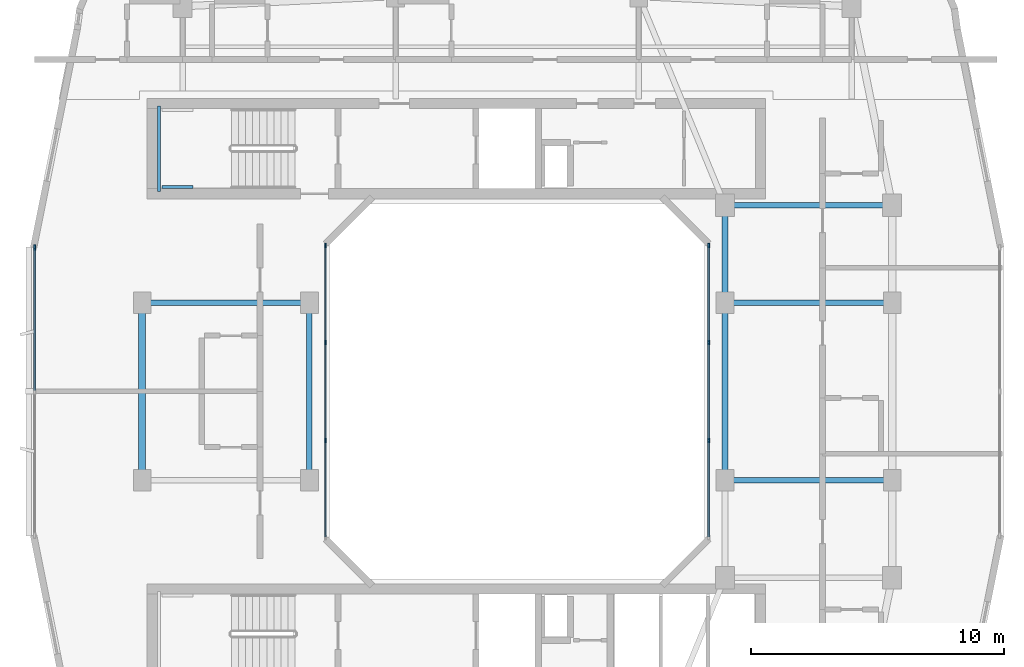
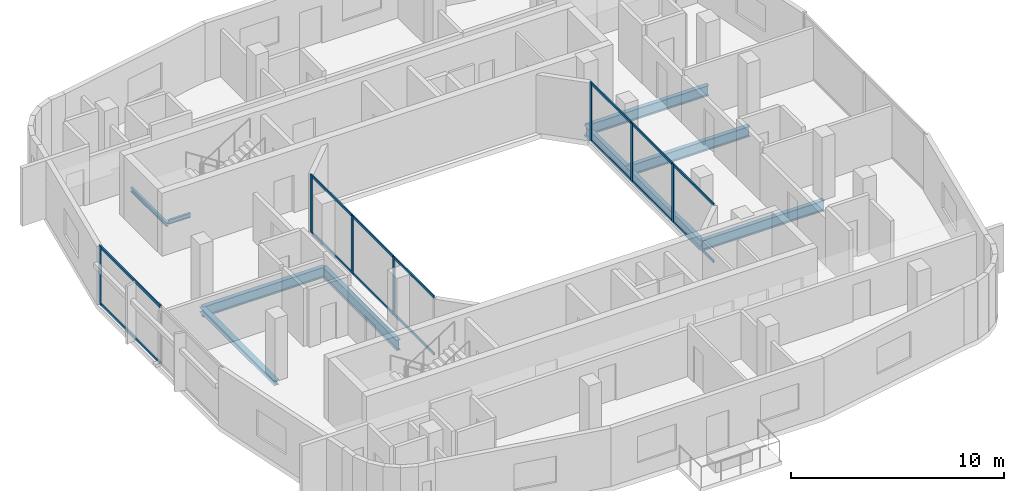
# One storey, part 3 of 13: 21 members, 10 beams, 3 elements without a shape of their own.
"""IFC4 building model written with IfcOpenShell, lengths in metres."""

from ifc_helpers import new_model, si_unit, derived_unit, direction, frame, origin, origin_2d, place, context, subcontext, project, spatial, rectangle, i_section, extrude, material, layer, layer_set, material_profile, profile_set, type_object, element, aggregate, save


model = new_model("IFC4")

# Units and contexts
model_context = context("Model", 3, precision=1e-05, world=origin(), true_north=direction((0.0, 1.0)))
body_context = subcontext(model_context, "Body", "Model", "MODEL_VIEW")
ifc_project = project(units=[si_unit("LENGTHUNIT", "METRE"), si_unit("AREAUNIT", "SQUARE_METRE"), si_unit("VOLUMEUNIT", "CUBIC_METRE"), si_unit("PLANEANGLEUNIT", "RADIAN"), si_unit("MASSUNIT", "GRAM", prefix="KILO"), derived_unit("THERMALTRANSMITTANCEUNIT", [(si_unit("POWERUNIT", "WATT"), 1), (si_unit("LENGTHUNIT", "METRE"), -2), (si_unit("THERMODYNAMICTEMPERATUREUNIT", "KELVIN"), -1)])], contexts=[model_context])

# Site, building, storey
site_placement = place(None, origin())
site = spatial("IfcSite", under=ifc_project, at=site_placement, CompositionType="ELEMENT")
building_placement = place(site_placement, origin())
building = spatial("IfcBuilding", under=site, at=building_placement, Name="Kivonza Crest Hotel", CompositionType="ELEMENT")
storey_placement = place(building_placement, frame((0.0, 0.0, 220.699951171875)))
storey = spatial("IfcBuildingStorey", under=building, at=storey_placement, Name="L60", CompositionType="ELEMENT", Elevation=220.699951171875)

# Beams
ifc_material_1 = material(Name="Steel S355", Category="steel")
ifc_material_profile_1 = material_profile(ifc_material_1, i_section(OverallWidth=0.280029296875, OverallDepth=0.280029296875, WebThickness=0.010498046875, FlangeThickness=0.01806640625, FilletRadius=0.02392578125, at=origin_2d()), Name="HEB 280")
ifc_profile_set_1 = profile_set([ifc_material_profile_1], Name="Steel S355")
beam_type_1 = type_object("IfcBeamType", Name="BM-HEB280", PredefinedType="SPANDREL", material=ifc_profile_set_1)
beam_1_placement = place(storey_placement, frame((6.199951171875, 28.5, -0.419921875), z_axis=(0.0, -1.0, 0.0), x_axis=(1.0, 0.0, 0.0)))
element("IfcBeam", 1, at=beam_1_placement, inside=storey, type_object=beam_type_1, Name="Tower T1 L60 perimeter spandrel W2-W1", PredefinedType="SPANDREL", context=body_context, shape_type="SweptSolid", body=[
    extrude(i_section(OverallWidth=0.280029296875, OverallDepth=0.280029296875, WebThickness=0.010498046875, FlangeThickness=0.01806640625, FilletRadius=0.02392578125, at=origin_2d()), origin(), (0.0, 0.0, 1.0), 7.0),
])
ifc_material_profile_2 = material_profile(ifc_material_1, i_section(OverallWidth=0.219970703125, OverallDepth=0.60009765625, WebThickness=0.011962890625, FlangeThickness=0.01904296875, FilletRadius=0.02392578125, at=origin_2d()), Name="IPE 600")
ifc_profile_set_2 = profile_set([ifc_material_profile_2], Name="Steel S355")
beam_type_2 = type_object("IfcBeamType", Name="BM-IPE600", PredefinedType="BEAM", material=ifc_profile_set_2)
beam_2_placement = place(storey_placement, frame((6.199951171875, 28.5, -0.579833984375), z_axis=(1.0, 0.0, 0.0), x_axis=(0.0, 1.0, 0.0)))
element("IfcBeam", 2, at=beam_2_placement, inside=storey, type_object=beam_type_2, Name="Tower T1 L60 primary girder W2-WL2", PredefinedType="BEAM", context=body_context, shape_type="SweptSolid", body=[
    extrude(i_section(OverallWidth=0.219970703125, OverallDepth=0.60009765625, WebThickness=0.011962890625, FlangeThickness=0.01904296875, FilletRadius=0.02392578125, at=origin_2d()), origin(), (0.0, 0.0, 1.0), 6.60009765625),
])
beam_3_placement = place(storey_placement, frame((12.800048828125, 21.5, -0.579833984375), z_axis=(0.0, 1.0, 0.0), x_axis=(-1.0, 0.0, 0.0)))
element("IfcBeam", 3, at=beam_3_placement, inside=storey, type_object=beam_type_2, Name="Tower T1 L60 primary girder WL1-WL2", PredefinedType="BEAM", context=body_context, shape_type="SweptSolid", body=[
    extrude(i_section(OverallWidth=0.219970703125, OverallDepth=0.60009765625, WebThickness=0.011962890625, FlangeThickness=0.01904296875, FilletRadius=0.02392578125, at=origin_2d()), origin(), (0.0, 0.0, 1.0), 7.0),
])
beam_4_placement = place(storey_placement, frame((29.199951171875, 32.35009765625, -0.579833984375), z_axis=(1.0, 0.0, 0.0), x_axis=(0.0, 1.0, 0.0)))
element("IfcBeam", 4, at=beam_4_placement, inside=storey, type_object=beam_type_2, Name="Tower T1 L60 primary girder TNE-PNE", PredefinedType="BEAM", context=body_context, shape_type="SweptSolid", body=[
    extrude(i_section(OverallWidth=0.219970703125, OverallDepth=0.60009765625, WebThickness=0.011962890625, FlangeThickness=0.01904296875, FilletRadius=0.02392578125, at=origin_2d()), origin(), (0.0, 0.0, 1.0), 6.60009765625),
])
beam_5_placement = place(storey_placement, frame((29.199951171875, 21.5, -0.579833984375), z_axis=(0.0, 1.0, 0.0), x_axis=(-1.0, 0.0, 0.0)))
element("IfcBeam", 5, at=beam_5_placement, inside=storey, type_object=beam_type_2, Name="Tower T1 L60 primary girder WR1-WR2", PredefinedType="BEAM", context=body_context, shape_type="SweptSolid", body=[
    extrude(i_section(OverallWidth=0.219970703125, OverallDepth=0.60009765625, WebThickness=0.011962890625, FlangeThickness=0.01904296875, FilletRadius=0.02392578125, at=origin_2d()), origin(), (0.0, 0.0, 1.0), 7.0),
])
beam_6_placement = place(storey_placement, frame((29.199951171875, 28.5, -0.579833984375), z_axis=(0.0, 1.0, 0.0), x_axis=(-1.0, 0.0, 0.0)))
element("IfcBeam", 6, at=beam_6_placement, inside=storey, type_object=beam_type_2, Name="Tower T1 L60 primary girder WR2-TNE", PredefinedType="BEAM", context=body_context, shape_type="SweptSolid", body=[
    extrude(i_section(OverallWidth=0.219970703125, OverallDepth=0.60009765625, WebThickness=0.011962890625, FlangeThickness=0.01904296875, FilletRadius=0.02392578125, at=origin_2d()), origin(), (0.0, 0.0, 1.0), 3.85009765625),
])
for number, where, z_axis, x_axis, name in (
    (7, (29.199951171875, 21.5, -0.579833984375), (1.0, 0.0, 0.0), (0.0, 1.0, 0.0), "Tower T1 L60 primary girder WR1-E1"),
    (8, (29.199951171875, 28.5, -0.579833984375), (1.0, 0.0, 0.0), (0.0, 1.0, 0.0), "Tower T1 L60 primary girder WR2-E2"),
):
    element("IfcBeam", number, at=place(storey_placement, frame(where, z_axis=z_axis, x_axis=x_axis)), inside=storey, type_object=beam_type_2, Name=name, PredefinedType="BEAM", context=body_context, shape_type="SweptSolid", body=[
        extrude(i_section(OverallWidth=0.219970703125, OverallDepth=0.60009765625, WebThickness=0.011962890625, FlangeThickness=0.01904296875, FilletRadius=0.02392578125, at=origin_2d()), origin(), (0.0, 0.0, 1.0), 6.60009765625),
    ])
ifc_material_profile_3 = material_profile(ifc_material_1, i_section(OverallWidth=0.1201171875, OverallDepth=0.239990234375, WebThickness=0.006103515625, FlangeThickness=0.009765625, FilletRadius=0.014892578125, at=origin_2d()), Name="IPE 240")
ifc_profile_set_3 = profile_set([ifc_material_profile_3], Name="Steel S355")
beam_type_3 = type_object("IfcBeamType", Name="BM-LLDG-240", PredefinedType="BEAM", material=ifc_profile_set_3)
beam_7_placement = place(storey_placement, frame((6.860107421875, 32.89990234375, 1.47998046875), z_axis=(0.0, 1.0, 0.0), x_axis=(-1.0, 0.0, 0.0)))
element("IfcBeam", 9, at=beam_7_placement, inside=storey, type_object=beam_type_3, Name="Stair ST-T1-N L60 West landing corbel", PredefinedType="BEAM", context=body_context, shape_type="SweptSolid", body=[
    extrude(i_section(OverallWidth=0.1201171875, OverallDepth=0.239990234375, WebThickness=0.006103515625, FlangeThickness=0.009765625, FilletRadius=0.014892578125, at=origin_2d()), origin(), (0.0, 0.0, 1.0), 3.360107421875),
])
beam_8_placement = place(storey_placement, frame((6.989990234375, 33.06005859375, 1.47998046875), z_axis=(1.0, 0.0, 0.0), x_axis=(0.0, 1.0, 0.0)))
element("IfcBeam", 10, at=beam_8_placement, inside=storey, type_object=beam_type_3, Name="Stair ST-T1-N L60 South landing corbel", PredefinedType="BEAM", context=body_context, shape_type="SweptSolid", body=[
    extrude(i_section(OverallWidth=0.1201171875, OverallDepth=0.239990234375, WebThickness=0.006103515625, FlangeThickness=0.009765625, FilletRadius=0.014892578125, at=origin_2d()), origin(), (0.0, 0.0, 1.0), 1.2099609375),
])

# Curtain wall, members
ifc_material_2 = material(Name="Anodised bronze aluminium and low-E double glazing", Category="aluminium")
ifc_layer_1 = layer(ifc_material_2, 0.159912109375)
ifc_layer_set_1 = layer_set([ifc_layer_1], Name="Anodised bronze aluminium and low-E double glazing")
curtain_wall_type_1 = type_object("IfcCurtainWallType", Name="CW-SYS-5", PredefinedType="NOTDEFINED", material=ifc_layer_set_1)
curtain_wall_1_placement = place(storey_placement, origin())
curtain_wall_1 = element("IfcCurtainWall", 11, at=curtain_wall_1_placement, inside=storey, type_object=curtain_wall_type_1, Name="L60 unitised curtain wall CW-WELL-T1-L60-3", PredefinedType="NOTDEFINED")
ifc_material_3 = material(Name="Anodised bronze aluminium", Category="aluminium")
ifc_material_profile_4 = material_profile(ifc_material_3, rectangle(XDim=0.06494140625, YDim=0.179931640625, at=origin_2d()), Name="CW-M 65x180")
ifc_profile_set_4 = profile_set([ifc_material_profile_4], Name="Anodised bronze aluminium")
member_type_1 = type_object("IfcMemberType", Name="CW-MUL-65x180", PredefinedType="MULLION", material=ifc_profile_set_4)
member_1_placement = place(storey_placement, frame((28.56005859375, 23.066650390625, 0.0), z_axis=(0.0, 0.0, 1.0), x_axis=(-1.0, 0.0, 0.0)))
member_1 = element("IfcMember", 12, at=member_1_placement, type_object=member_type_1, Name="CW-5 mullion 2", PredefinedType="MULLION", context=body_context, shape_type="SweptSolid", body=[
    extrude(rectangle(XDim=0.06494140625, YDim=0.179931640625, at=origin_2d()), origin(), (0.0, 0.0, 1.0), 3.320068359375),
])
member_2_placement = place(storey_placement, frame((28.56005859375, 26.933349609375, 0.0), z_axis=(0.0, 0.0, 1.0), x_axis=(-1.0, 0.0, 0.0)))
member_2 = element("IfcMember", 13, at=member_2_placement, type_object=member_type_1, Name="CW-5 mullion 3", PredefinedType="MULLION", context=body_context, shape_type="SweptSolid", body=[
    extrude(rectangle(XDim=0.06494140625, YDim=0.179931640625, at=origin_2d()), origin(), (0.0, 0.0, 1.0), 3.320068359375),
])
member_3_placement = place(storey_placement, frame((28.56005859375, 30.767578125, 0.0), z_axis=(0.0, 0.0, 1.0), x_axis=(-1.0, 0.0, 0.0)))
member_3 = element("IfcMember", 14, at=member_3_placement, type_object=member_type_1, Name="CW-5 mullion 4", PredefinedType="MULLION", context=body_context, shape_type="SweptSolid", body=[
    extrude(rectangle(XDim=0.06494140625, YDim=0.179931640625, at=origin_2d()), origin(), (0.0, 0.0, 1.0), 3.320068359375),
])

curtain_wall_2_placement = place(storey_placement, origin())
curtain_wall_2 = element("IfcCurtainWall", 15, at=curtain_wall_2_placement, inside=storey, type_object=curtain_wall_type_1, Name="L60 unitised curtain wall CW-WELL-T1-L60-7", PredefinedType="NOTDEFINED")
member_4_placement = place(storey_placement, frame((13.43994140625, 30.767578125, 0.0), z_axis=(0.0, 0.0, 1.0), x_axis=(1.0, 0.0, 0.0)))
member_4 = element("IfcMember", 16, at=member_4_placement, type_object=member_type_1, Name="CW-5 mullion 1", PredefinedType="MULLION", context=body_context, shape_type="SweptSolid", body=[
    extrude(rectangle(XDim=0.06494140625, YDim=0.179931640625, at=origin_2d()), origin(), (0.0, 0.0, 1.0), 3.320068359375),
])
member_5_placement = place(storey_placement, frame((13.43994140625, 26.933349609375, 0.0), z_axis=(0.0, 0.0, 1.0), x_axis=(1.0, 0.0, 0.0)))
member_5 = element("IfcMember", 17, at=member_5_placement, type_object=member_type_1, Name="CW-5 mullion 2", PredefinedType="MULLION", context=body_context, shape_type="SweptSolid", body=[
    extrude(rectangle(XDim=0.06494140625, YDim=0.179931640625, at=origin_2d()), origin(), (0.0, 0.0, 1.0), 3.320068359375),
])
member_6_placement = place(storey_placement, frame((13.43994140625, 23.066650390625, 0.0), z_axis=(0.0, 0.0, 1.0), x_axis=(1.0, 0.0, 0.0)))
member_6 = element("IfcMember", 18, at=member_6_placement, type_object=member_type_1, Name="CW-5 mullion 3", PredefinedType="MULLION", context=body_context, shape_type="SweptSolid", body=[
    extrude(rectangle(XDim=0.06494140625, YDim=0.179931640625, at=origin_2d()), origin(), (0.0, 0.0, 1.0), 3.320068359375),
])

# Curtain wall, member
ifc_layer_2 = layer(ifc_material_2, 0.179931640625)
ifc_layer_set_2 = layer_set([ifc_layer_2], Name="Anodised bronze aluminium and low-E double glazing")
curtain_wall_type_2 = type_object("IfcCurtainWallType", Name="CW-SYS-3", PredefinedType="NOTDEFINED", material=ifc_layer_set_2)
curtain_wall_3_placement = place(storey_placement, origin())
curtain_wall_3 = element("IfcCurtainWall", 19, at=curtain_wall_3_placement, inside=storey, type_object=curtain_wall_type_2, Name="L60 unitised curtain wall CW-T1-L60-35", PredefinedType="NOTDEFINED")
ifc_material_profile_5 = material_profile(ifc_material_3, rectangle(XDim=0.074951171875, YDim=0.219970703125, at=origin_2d()), Name="CW-M 75x220")
ifc_profile_set_5 = profile_set([ifc_material_profile_5], Name="Anodised bronze aluminium")
member_type_2 = type_object("IfcMemberType", Name="CW-MUL-75x220", PredefinedType="MULLION", material=ifc_profile_set_5)
member_7_placement = place(storey_placement, frame((1.9599609375, 30.6826171875, 0.0), z_axis=(0.0, 0.0, 1.0), x_axis=(1.0, 0.0, 0.0)))
member_7 = element("IfcMember", 20, at=member_7_placement, type_object=member_type_2, Name="CW-3 mullion 1", PredefinedType="MULLION", context=body_context, shape_type="SweptSolid", body=[
    extrude(rectangle(XDim=0.074951171875, YDim=0.219970703125, at=origin_2d()), origin(), (0.0, 0.0, 1.0), 3.320068359375),
])

# Member
ifc_material_profile_6 = material_profile(ifc_material_3, rectangle(XDim=0.06494140625, YDim=0.139892578125, at=origin_2d()), Name="CW-T 65x140")
ifc_profile_set_6 = profile_set([ifc_material_profile_6], Name="Anodised bronze aluminium")
member_type_3 = type_object("IfcMemberType", Name="CW-TRN-65x140", PredefinedType="USERDEFINED", material=ifc_profile_set_6)
member_8_placement = place(storey_placement, frame((28.56005859375, 19.264892578125, 0.032470703125), z_axis=(0.0, 1.0, 0.0), x_axis=(-1.0, 0.0, 0.0)))
member_8 = element("IfcMember", 21, at=member_8_placement, type_object=member_type_3, Name="CW-5 transom 1.1", ObjectType="TRANSOM", PredefinedType="USERDEFINED", context=body_context, shape_type="SweptSolid", body=[
    extrude(rectangle(XDim=0.06494140625, YDim=0.139892578125, at=origin_2d()), origin(), (0.0, 0.0, 1.0), 3.769287109375),
])

member_9_placement = place(storey_placement, frame((28.56005859375, 19.264892578125, 3.28759765625), z_axis=(0.0, 1.0, 0.0), x_axis=(-1.0, 0.0, 0.0)))
member_9 = element("IfcMember", 22, at=member_9_placement, type_object=member_type_3, Name="CW-5 transom 1.2", ObjectType="TRANSOM", PredefinedType="USERDEFINED", context=body_context, shape_type="SweptSolid", body=[
    extrude(rectangle(XDim=0.06494140625, YDim=0.139892578125, at=origin_2d()), origin(), (0.0, 0.0, 1.0), 3.769287109375),
])

member_10_placement = place(storey_placement, frame((28.56005859375, 23.09912109375, 0.032470703125), z_axis=(0.0, 1.0, 0.0), x_axis=(-1.0, 0.0, 0.0)))
member_10 = element("IfcMember", 23, at=member_10_placement, type_object=member_type_3, Name="CW-5 transom 2.1", ObjectType="TRANSOM", PredefinedType="USERDEFINED", context=body_context, shape_type="SweptSolid", body=[
    extrude(rectangle(XDim=0.06494140625, YDim=0.139892578125, at=origin_2d()), origin(), (0.0, 0.0, 1.0), 3.8017578125),
])

member_11_placement = place(storey_placement, frame((28.56005859375, 23.09912109375, 3.28759765625), z_axis=(0.0, 1.0, 0.0), x_axis=(-1.0, 0.0, 0.0)))
member_11 = element("IfcMember", 24, at=member_11_placement, type_object=member_type_3, Name="CW-5 transom 2.2", ObjectType="TRANSOM", PredefinedType="USERDEFINED", context=body_context, shape_type="SweptSolid", body=[
    extrude(rectangle(XDim=0.06494140625, YDim=0.139892578125, at=origin_2d()), origin(), (0.0, 0.0, 1.0), 3.8017578125),
])

member_12_placement = place(storey_placement, frame((28.56005859375, 26.9658203125, 0.032470703125), z_axis=(0.0, 1.0, 0.0), x_axis=(-1.0, 0.0, 0.0)))
member_12 = element("IfcMember", 25, at=member_12_placement, type_object=member_type_3, Name="CW-5 transom 3.1", ObjectType="TRANSOM", PredefinedType="USERDEFINED", context=body_context, shape_type="SweptSolid", body=[
    extrude(rectangle(XDim=0.06494140625, YDim=0.139892578125, at=origin_2d()), origin(), (0.0, 0.0, 1.0), 3.769287109375),
])

member_13_placement = place(storey_placement, frame((28.56005859375, 26.9658203125, 3.28759765625), z_axis=(0.0, 1.0, 0.0), x_axis=(-1.0, 0.0, 0.0)))
member_13 = element("IfcMember", 26, at=member_13_placement, type_object=member_type_3, Name="CW-5 transom 3.2", ObjectType="TRANSOM", PredefinedType="USERDEFINED", context=body_context, shape_type="SweptSolid", body=[
    extrude(rectangle(XDim=0.06494140625, YDim=0.139892578125, at=origin_2d()), origin(), (0.0, 0.0, 1.0), 3.769287109375),
])

aggregate(curtain_wall_1, [member_1, member_2, member_3, member_8, member_9, member_10, member_11, member_12, member_13])

member_14_placement = place(storey_placement, frame((13.43994140625, 30.735107421875, 0.032470703125), z_axis=(0.0, -1.0, 0.0), x_axis=(1.0, 0.0, 0.0)))
member_14 = element("IfcMember", 27, at=member_14_placement, type_object=member_type_3, Name="CW-5 transom 1.1", ObjectType="TRANSOM", PredefinedType="USERDEFINED", context=body_context, shape_type="SweptSolid", body=[
    extrude(rectangle(XDim=0.06494140625, YDim=0.139892578125, at=origin_2d()), origin(), (0.0, 0.0, 1.0), 3.769287109375),
])

member_15_placement = place(storey_placement, frame((13.43994140625, 30.735107421875, 3.28759765625), z_axis=(0.0, -1.0, 0.0), x_axis=(1.0, 0.0, 0.0)))
member_15 = element("IfcMember", 28, at=member_15_placement, type_object=member_type_3, Name="CW-5 transom 1.2", ObjectType="TRANSOM", PredefinedType="USERDEFINED", context=body_context, shape_type="SweptSolid", body=[
    extrude(rectangle(XDim=0.06494140625, YDim=0.139892578125, at=origin_2d()), origin(), (0.0, 0.0, 1.0), 3.769287109375),
])

member_16_placement = place(storey_placement, frame((13.43994140625, 26.90087890625, 0.032470703125), z_axis=(0.0, -1.0, 0.0), x_axis=(1.0, 0.0, 0.0)))
member_16 = element("IfcMember", 29, at=member_16_placement, type_object=member_type_3, Name="CW-5 transom 2.1", ObjectType="TRANSOM", PredefinedType="USERDEFINED", context=body_context, shape_type="SweptSolid", body=[
    extrude(rectangle(XDim=0.06494140625, YDim=0.139892578125, at=origin_2d()), origin(), (0.0, 0.0, 1.0), 3.8017578125),
])

member_17_placement = place(storey_placement, frame((13.43994140625, 26.90087890625, 3.28759765625), z_axis=(0.0, -1.0, 0.0), x_axis=(1.0, 0.0, 0.0)))
member_17 = element("IfcMember", 30, at=member_17_placement, type_object=member_type_3, Name="CW-5 transom 2.2", ObjectType="TRANSOM", PredefinedType="USERDEFINED", context=body_context, shape_type="SweptSolid", body=[
    extrude(rectangle(XDim=0.06494140625, YDim=0.139892578125, at=origin_2d()), origin(), (0.0, 0.0, 1.0), 3.8017578125),
])

member_18_placement = place(storey_placement, frame((13.43994140625, 23.0341796875, 0.032470703125), z_axis=(0.0, -1.0, 0.0), x_axis=(1.0, 0.0, 0.0)))
member_18 = element("IfcMember", 31, at=member_18_placement, type_object=member_type_3, Name="CW-5 transom 3.1", ObjectType="TRANSOM", PredefinedType="USERDEFINED", context=body_context, shape_type="SweptSolid", body=[
    extrude(rectangle(XDim=0.06494140625, YDim=0.139892578125, at=origin_2d()), origin(), (0.0, 0.0, 1.0), 3.769287109375),
])

member_19_placement = place(storey_placement, frame((13.43994140625, 23.0341796875, 3.28759765625), z_axis=(0.0, -1.0, 0.0), x_axis=(1.0, 0.0, 0.0)))
member_19 = element("IfcMember", 32, at=member_19_placement, type_object=member_type_3, Name="CW-5 transom 3.2", ObjectType="TRANSOM", PredefinedType="USERDEFINED", context=body_context, shape_type="SweptSolid", body=[
    extrude(rectangle(XDim=0.06494140625, YDim=0.139892578125, at=origin_2d()), origin(), (0.0, 0.0, 1.0), 3.769287109375),
])

aggregate(curtain_wall_2, [member_4, member_5, member_6, member_14, member_15, member_16, member_17, member_18, member_19])

ifc_material_profile_7 = material_profile(ifc_material_3, rectangle(XDim=0.074951171875, YDim=0.159912109375, at=origin_2d()), Name="CW-T 75x160")
ifc_profile_set_7 = profile_set([ifc_material_profile_7], Name="Anodised bronze aluminium")
member_type_4 = type_object("IfcMemberType", Name="CW-TRN-75x160", PredefinedType="USERDEFINED", material=ifc_profile_set_7)
member_20_placement = place(storey_placement, frame((1.9599609375, 30.64501953125, 0.03759765625), z_axis=(0.0, -1.0, 0.0), x_axis=(1.0, 0.0, 0.0)))
member_20 = element("IfcMember", 33, at=member_20_placement, type_object=member_type_4, Name="CW-3 transom 1.1", ObjectType="TRANSOM", PredefinedType="USERDEFINED", context=body_context, shape_type="SweptSolid", body=[
    extrude(rectangle(XDim=0.074951171875, YDim=0.159912109375, at=origin_2d()), origin(), (0.0, 0.0, 1.0), 5.607421875),
])

member_21_placement = place(storey_placement, frame((1.9599609375, 30.64501953125, 3.282470703125), z_axis=(0.0, -1.0, 0.0), x_axis=(1.0, 0.0, 0.0)))
member_21 = element("IfcMember", 34, at=member_21_placement, type_object=member_type_4, Name="CW-3 transom 1.2", ObjectType="TRANSOM", PredefinedType="USERDEFINED", context=body_context, shape_type="SweptSolid", body=[
    extrude(rectangle(XDim=0.074951171875, YDim=0.159912109375, at=origin_2d()), origin(), (0.0, 0.0, 1.0), 5.607421875),
])

aggregate(curtain_wall_3, [member_7, member_20, member_21])

save(model, "model.ifc")
